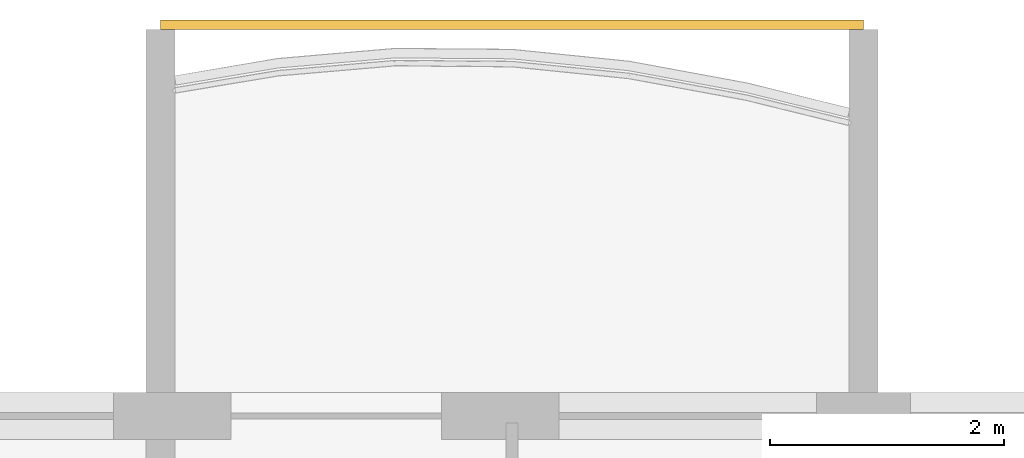
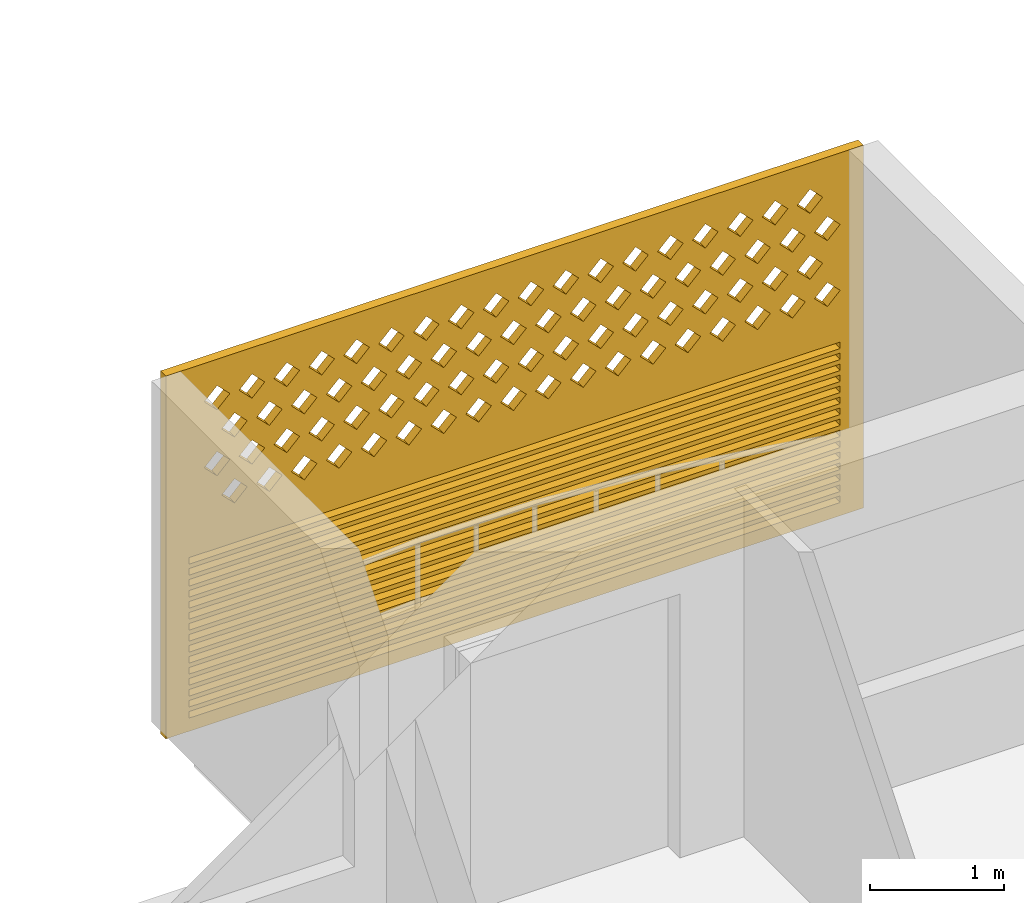
# One storey, part 21 of 27: 1 covering.
"""IFC4 building model written with IfcOpenShell, lengths in metres."""

from ifc_helpers import new_model, si_unit, direction, frame, origin, place, context, subcontext, project, spatial, polyline, outline, extrude, source, transform, mapped, material, material_profile, profile_set, type_object, element, save


model = new_model("IFC4")

# Units and contexts
model_context = context("Model", 3, precision=1e-05, world=origin(), true_north=direction((0.0, 1.0)))
body_context = subcontext(model_context, "Body", "Model", "MODEL_VIEW")
ifc_project = project(units=[si_unit("LENGTHUNIT", "METRE"), si_unit("AREAUNIT", "SQUARE_METRE"), si_unit("VOLUMEUNIT", "CUBIC_METRE"), si_unit("PLANEANGLEUNIT", "RADIAN"), si_unit("MASSUNIT", "GRAM", prefix="KILO")], contexts=[model_context])

# Site, building, storey
site_placement = place(None, origin())
site = spatial("IfcSite", under=ifc_project, at=site_placement, CompositionType="ELEMENT")
building_placement = place(site_placement, origin())
building = spatial("IfcBuilding", under=site, at=building_placement, Name="Poui Terraces", CompositionType="ELEMENT")
storey_placement = place(building_placement, frame((0.0, 0.0, 195.0)))
storey = spatial("IfcBuildingStorey", under=building, at=storey_placement, Name="L54", CompositionType="ELEMENT", Elevation=195.0)

# Covering
ifc_material = material(Name="Terracotta screen", Category="masonry")
ifc_material_profile = material_profile(ifc_material, outline(polyline([(-3.0, -1.64990234375), (3.0, -1.64990234375), (3.0, 1.64990234375), (-3.0, 1.64990234375), (-3.0, -1.64990234375)]), holes=[polyline([(-2.800048828125, 0.39990234375), (-2.68994140625, 0.2900390625), (-2.580078125, 0.39990234375), (-2.68994140625, 0.510009765625), (-2.800048828125, 0.39990234375)]), polyline([(-2.5, 0.39990234375), (-2.389892578125, 0.2900390625), (-2.280029296875, 0.39990234375), (-2.389892578125, 0.510009765625), (-2.5, 0.39990234375)]), polyline([(-2.199951171875, 0.39990234375), (-2.090087890625, 0.2900390625), (-1.97998046875, 0.39990234375), (-2.090087890625, 0.510009765625), (-2.199951171875, 0.39990234375)]), polyline([(-1.89990234375, 0.39990234375), (-1.7900390625, 0.2900390625), (-1.679931640625, 0.39990234375), (-1.7900390625, 0.510009765625), (-1.89990234375, 0.39990234375)]), polyline([(-1.60009765625, 0.39990234375), (-1.489990234375, 0.2900390625), (-1.3798828125, 0.39990234375), (-1.489990234375, 0.510009765625), (-1.60009765625, 0.39990234375)]), polyline([(-1.300048828125, 0.39990234375), (-1.18994140625, 0.2900390625), (-1.080078125, 0.39990234375), (-1.18994140625, 0.510009765625), (-1.300048828125, 0.39990234375)]), polyline([(-1.0, 0.39990234375), (-0.889892578125, 0.2900390625), (-0.780029296875, 0.39990234375), (-0.889892578125, 0.510009765625), (-1.0, 0.39990234375)]), polyline([(-0.699951171875, 0.39990234375), (-0.590087890625, 0.2900390625), (-0.47998046875, 0.39990234375), (-0.590087890625, 0.510009765625), (-0.699951171875, 0.39990234375)]), polyline([(-0.39990234375, 0.39990234375), (-0.2900390625, 0.2900390625), (-0.179931640625, 0.39990234375), (-0.2900390625, 0.510009765625), (-0.39990234375, 0.39990234375)]), polyline([(-0.10009765625, 0.39990234375), (0.010009765625, 0.2900390625), (0.1201171875, 0.39990234375), (0.010009765625, 0.510009765625), (-0.10009765625, 0.39990234375)]), polyline([(0.199951171875, 0.39990234375), (0.31005859375, 0.2900390625), (0.419921875, 0.39990234375), (0.31005859375, 0.510009765625), (0.199951171875, 0.39990234375)]), polyline([(0.5, 0.39990234375), (0.610107421875, 0.2900390625), (0.719970703125, 0.39990234375), (0.610107421875, 0.510009765625), (0.5, 0.39990234375)]), polyline([(0.800048828125, 0.39990234375), (0.909912109375, 0.2900390625), (1.02001953125, 0.39990234375), (0.909912109375, 0.510009765625), (0.800048828125, 0.39990234375)]), polyline([(1.10009765625, 0.39990234375), (1.2099609375, 0.2900390625), (1.320068359375, 0.39990234375), (1.2099609375, 0.510009765625), (1.10009765625, 0.39990234375)]), polyline([(1.39990234375, 0.39990234375), (1.510009765625, 0.2900390625), (1.6201171875, 0.39990234375), (1.510009765625, 0.510009765625), (1.39990234375, 0.39990234375)]), polyline([(1.699951171875, 0.39990234375), (1.81005859375, 0.2900390625), (1.919921875, 0.39990234375), (1.81005859375, 0.510009765625), (1.699951171875, 0.39990234375)]), polyline([(2.0, 0.39990234375), (2.110107421875, 0.2900390625), (2.219970703125, 0.39990234375), (2.110107421875, 0.510009765625), (2.0, 0.39990234375)]), polyline([(2.300048828125, 0.39990234375), (2.409912109375, 0.2900390625), (2.52001953125, 0.39990234375), (2.409912109375, 0.510009765625), (2.300048828125, 0.39990234375)]), polyline([(-2.64990234375, 0.699951171875), (-2.5400390625, 0.590087890625), (-2.429931640625, 0.699951171875), (-2.5400390625, 0.81005859375), (-2.64990234375, 0.699951171875)]), polyline([(-2.35009765625, 0.699951171875), (-2.239990234375, 0.590087890625), (-2.1298828125, 0.699951171875), (-2.239990234375, 0.81005859375), (-2.35009765625, 0.699951171875)]), polyline([(-2.050048828125, 0.699951171875), (-1.93994140625, 0.590087890625), (-1.830078125, 0.699951171875), (-1.93994140625, 0.81005859375), (-2.050048828125, 0.699951171875)]), polyline([(-1.75, 0.699951171875), (-1.639892578125, 0.590087890625), (-1.530029296875, 0.699951171875), (-1.639892578125, 0.81005859375), (-1.75, 0.699951171875)]), polyline([(-1.449951171875, 0.699951171875), (-1.340087890625, 0.590087890625), (-1.22998046875, 0.699951171875), (-1.340087890625, 0.81005859375), (-1.449951171875, 0.699951171875)]), polyline([(-1.14990234375, 0.699951171875), (-1.0400390625, 0.590087890625), (-0.929931640625, 0.699951171875), (-1.0400390625, 0.81005859375), (-1.14990234375, 0.699951171875)]), polyline([(-0.85009765625, 0.699951171875), (-0.739990234375, 0.590087890625), (-0.6298828125, 0.699951171875), (-0.739990234375, 0.81005859375), (-0.85009765625, 0.699951171875)]), polyline([(-0.550048828125, 0.699951171875), (-0.43994140625, 0.590087890625), (-0.330078125, 0.699951171875), (-0.43994140625, 0.81005859375), (-0.550048828125, 0.699951171875)]), polyline([(-0.25, 0.699951171875), (-0.139892578125, 0.590087890625), (-0.030029296875, 0.699951171875), (-0.139892578125, 0.81005859375), (-0.25, 0.699951171875)]), polyline([(0.050048828125, 0.699951171875), (0.159912109375, 0.590087890625), (0.27001953125, 0.699951171875), (0.159912109375, 0.81005859375), (0.050048828125, 0.699951171875)]), polyline([(0.35009765625, 0.699951171875), (0.4599609375, 0.590087890625), (0.570068359375, 0.699951171875), (0.4599609375, 0.81005859375), (0.35009765625, 0.699951171875)]), polyline([(0.64990234375, 0.699951171875), (0.760009765625, 0.590087890625), (0.8701171875, 0.699951171875), (0.760009765625, 0.81005859375), (0.64990234375, 0.699951171875)]), polyline([(0.949951171875, 0.699951171875), (1.06005859375, 0.590087890625), (1.169921875, 0.699951171875), (1.06005859375, 0.81005859375), (0.949951171875, 0.699951171875)]), polyline([(1.25, 0.699951171875), (1.360107421875, 0.590087890625), (1.469970703125, 0.699951171875), (1.360107421875, 0.81005859375), (1.25, 0.699951171875)]), polyline([(1.550048828125, 0.699951171875), (1.659912109375, 0.590087890625), (1.77001953125, 0.699951171875), (1.659912109375, 0.81005859375), (1.550048828125, 0.699951171875)]), polyline([(1.85009765625, 0.699951171875), (1.9599609375, 0.590087890625), (2.070068359375, 0.699951171875), (1.9599609375, 0.81005859375), (1.85009765625, 0.699951171875)]), polyline([(2.14990234375, 0.699951171875), (2.260009765625, 0.590087890625), (2.3701171875, 0.699951171875), (2.260009765625, 0.81005859375), (2.14990234375, 0.699951171875)]), polyline([(2.449951171875, 0.699951171875), (2.56005859375, 0.590087890625), (2.669921875, 0.699951171875), (2.56005859375, 0.81005859375), (2.449951171875, 0.699951171875)]), polyline([(-2.800048828125, 1.0), (-2.68994140625, 0.889892578125), (-2.580078125, 1.0), (-2.68994140625, 1.110107421875), (-2.800048828125, 1.0)]), polyline([(-2.5, 1.0), (-2.389892578125, 0.889892578125), (-2.280029296875, 1.0), (-2.389892578125, 1.110107421875), (-2.5, 1.0)]), polyline([(-2.199951171875, 1.0), (-2.090087890625, 0.889892578125), (-1.97998046875, 1.0), (-2.090087890625, 1.110107421875), (-2.199951171875, 1.0)]), polyline([(-1.89990234375, 1.0), (-1.7900390625, 0.889892578125), (-1.679931640625, 1.0), (-1.7900390625, 1.110107421875), (-1.89990234375, 1.0)]), polyline([(-1.60009765625, 1.0), (-1.489990234375, 0.889892578125), (-1.3798828125, 1.0), (-1.489990234375, 1.110107421875), (-1.60009765625, 1.0)]), polyline([(-1.300048828125, 1.0), (-1.18994140625, 0.889892578125), (-1.080078125, 1.0), (-1.18994140625, 1.110107421875), (-1.300048828125, 1.0)]), polyline([(-1.0, 1.0), (-0.889892578125, 0.889892578125), (-0.780029296875, 1.0), (-0.889892578125, 1.110107421875), (-1.0, 1.0)]), polyline([(-0.699951171875, 1.0), (-0.590087890625, 0.889892578125), (-0.47998046875, 1.0), (-0.590087890625, 1.110107421875), (-0.699951171875, 1.0)]), polyline([(-0.39990234375, 1.0), (-0.2900390625, 0.889892578125), (-0.179931640625, 1.0), (-0.2900390625, 1.110107421875), (-0.39990234375, 1.0)]), polyline([(-0.10009765625, 1.0), (0.010009765625, 0.889892578125), (0.1201171875, 1.0), (0.010009765625, 1.110107421875), (-0.10009765625, 1.0)]), polyline([(0.199951171875, 1.0), (0.31005859375, 0.889892578125), (0.419921875, 1.0), (0.31005859375, 1.110107421875), (0.199951171875, 1.0)]), polyline([(0.5, 1.0), (0.610107421875, 0.889892578125), (0.719970703125, 1.0), (0.610107421875, 1.110107421875), (0.5, 1.0)]), polyline([(0.800048828125, 1.0), (0.909912109375, 0.889892578125), (1.02001953125, 1.0), (0.909912109375, 1.110107421875), (0.800048828125, 1.0)]), polyline([(1.10009765625, 1.0), (1.2099609375, 0.889892578125), (1.320068359375, 1.0), (1.2099609375, 1.110107421875), (1.10009765625, 1.0)]), polyline([(1.39990234375, 1.0), (1.510009765625, 0.889892578125), (1.6201171875, 1.0), (1.510009765625, 1.110107421875), (1.39990234375, 1.0)]), polyline([(1.699951171875, 1.0), (1.81005859375, 0.889892578125), (1.919921875, 1.0), (1.81005859375, 1.110107421875), (1.699951171875, 1.0)]), polyline([(2.0, 1.0), (2.110107421875, 0.889892578125), (2.219970703125, 1.0), (2.110107421875, 1.110107421875), (2.0, 1.0)]), polyline([(2.300048828125, 1.0), (2.409912109375, 0.889892578125), (2.52001953125, 1.0), (2.409912109375, 1.110107421875), (2.300048828125, 1.0)]), polyline([(-2.64990234375, 1.300048828125), (-2.5400390625, 1.18994140625), (-2.429931640625, 1.300048828125), (-2.5400390625, 1.409912109375), (-2.64990234375, 1.300048828125)]), polyline([(-2.35009765625, 1.300048828125), (-2.239990234375, 1.18994140625), (-2.1298828125, 1.300048828125), (-2.239990234375, 1.409912109375), (-2.35009765625, 1.300048828125)]), polyline([(-2.050048828125, 1.300048828125), (-1.93994140625, 1.18994140625), (-1.830078125, 1.300048828125), (-1.93994140625, 1.409912109375), (-2.050048828125, 1.300048828125)]), polyline([(-1.75, 1.300048828125), (-1.639892578125, 1.18994140625), (-1.530029296875, 1.300048828125), (-1.639892578125, 1.409912109375), (-1.75, 1.300048828125)]), polyline([(-1.449951171875, 1.300048828125), (-1.340087890625, 1.18994140625), (-1.22998046875, 1.300048828125), (-1.340087890625, 1.409912109375), (-1.449951171875, 1.300048828125)]), polyline([(-1.14990234375, 1.300048828125), (-1.0400390625, 1.18994140625), (-0.929931640625, 1.300048828125), (-1.0400390625, 1.409912109375), (-1.14990234375, 1.300048828125)]), polyline([(-0.85009765625, 1.300048828125), (-0.739990234375, 1.18994140625), (-0.6298828125, 1.300048828125), (-0.739990234375, 1.409912109375), (-0.85009765625, 1.300048828125)]), polyline([(-0.550048828125, 1.300048828125), (-0.43994140625, 1.18994140625), (-0.330078125, 1.300048828125), (-0.43994140625, 1.409912109375), (-0.550048828125, 1.300048828125)]), polyline([(-0.25, 1.300048828125), (-0.139892578125, 1.18994140625), (-0.030029296875, 1.300048828125), (-0.139892578125, 1.409912109375), (-0.25, 1.300048828125)]), polyline([(0.050048828125, 1.300048828125), (0.159912109375, 1.18994140625), (0.27001953125, 1.300048828125), (0.159912109375, 1.409912109375), (0.050048828125, 1.300048828125)]), polyline([(0.35009765625, 1.300048828125), (0.4599609375, 1.18994140625), (0.570068359375, 1.300048828125), (0.4599609375, 1.409912109375), (0.35009765625, 1.300048828125)]), polyline([(0.64990234375, 1.300048828125), (0.760009765625, 1.18994140625), (0.8701171875, 1.300048828125), (0.760009765625, 1.409912109375), (0.64990234375, 1.300048828125)]), polyline([(0.949951171875, 1.300048828125), (1.06005859375, 1.18994140625), (1.169921875, 1.300048828125), (1.06005859375, 1.409912109375), (0.949951171875, 1.300048828125)]), polyline([(1.25, 1.300048828125), (1.360107421875, 1.18994140625), (1.469970703125, 1.300048828125), (1.360107421875, 1.409912109375), (1.25, 1.300048828125)]), polyline([(1.550048828125, 1.300048828125), (1.659912109375, 1.18994140625), (1.77001953125, 1.300048828125), (1.659912109375, 1.409912109375), (1.550048828125, 1.300048828125)]), polyline([(1.85009765625, 1.300048828125), (1.9599609375, 1.18994140625), (2.070068359375, 1.300048828125), (1.9599609375, 1.409912109375), (1.85009765625, 1.300048828125)]), polyline([(2.14990234375, 1.300048828125), (2.260009765625, 1.18994140625), (2.3701171875, 1.300048828125), (2.260009765625, 1.409912109375), (2.14990234375, 1.300048828125)]), polyline([(2.449951171875, 1.300048828125), (2.56005859375, 1.18994140625), (2.669921875, 1.300048828125), (2.56005859375, 1.409912109375), (2.449951171875, 1.300048828125)]), polyline([(-2.800048828125, -1.530029296875), (2.800048828125, -1.530029296875), (2.800048828125, -1.469970703125), (-2.800048828125, -1.469970703125), (-2.800048828125, -1.530029296875)]), polyline([(-2.800048828125, -1.429931640625), (2.800048828125, -1.429931640625), (2.800048828125, -1.3701171875), (-2.800048828125, -1.3701171875), (-2.800048828125, -1.429931640625)]), polyline([(-2.800048828125, -1.330078125), (2.800048828125, -1.330078125), (2.800048828125, -1.27001953125), (-2.800048828125, -1.27001953125), (-2.800048828125, -1.330078125)]), polyline([(-2.800048828125, -1.22998046875), (2.800048828125, -1.22998046875), (2.800048828125, -1.169921875), (-2.800048828125, -1.169921875), (-2.800048828125, -1.22998046875)]), polyline([(-2.800048828125, -1.1298828125), (2.800048828125, -1.1298828125), (2.800048828125, -1.070068359375), (-2.800048828125, -1.070068359375), (-2.800048828125, -1.1298828125)]), polyline([(-2.800048828125, -1.030029296875), (2.800048828125, -1.030029296875), (2.800048828125, -0.969970703125), (-2.800048828125, -0.969970703125), (-2.800048828125, -1.030029296875)]), polyline([(-2.800048828125, -0.929931640625), (2.800048828125, -0.929931640625), (2.800048828125, -0.8701171875), (-2.800048828125, -0.8701171875), (-2.800048828125, -0.929931640625)]), polyline([(-2.800048828125, -0.830078125), (2.800048828125, -0.830078125), (2.800048828125, -0.77001953125), (-2.800048828125, -0.77001953125), (-2.800048828125, -0.830078125)]), polyline([(-2.800048828125, -0.72998046875), (2.800048828125, -0.72998046875), (2.800048828125, -0.669921875), (-2.800048828125, -0.669921875), (-2.800048828125, -0.72998046875)]), polyline([(-2.800048828125, -0.6298828125), (2.800048828125, -0.6298828125), (2.800048828125, -0.570068359375), (-2.800048828125, -0.570068359375), (-2.800048828125, -0.6298828125)]), polyline([(-2.800048828125, -0.530029296875), (2.800048828125, -0.530029296875), (2.800048828125, -0.469970703125), (-2.800048828125, -0.469970703125), (-2.800048828125, -0.530029296875)]), polyline([(-2.800048828125, -0.429931640625), (2.800048828125, -0.429931640625), (2.800048828125, -0.3701171875), (-2.800048828125, -0.3701171875), (-2.800048828125, -0.429931640625)]), polyline([(-2.800048828125, -0.330078125), (2.800048828125, -0.330078125), (2.800048828125, -0.27001953125), (-2.800048828125, -0.27001953125), (-2.800048828125, -0.330078125)]), polyline([(-2.800048828125, -0.22998046875), (2.800048828125, -0.22998046875), (2.800048828125, -0.169921875), (-2.800048828125, -0.169921875), (-2.800048828125, -0.22998046875)]), polyline([(-2.800048828125, -0.1298828125), (2.800048828125, -0.1298828125), (2.800048828125, -0.070068359375), (-2.800048828125, -0.070068359375), (-2.800048828125, -0.1298828125)])]), Name="TERRACOTTA SCREEN AND JALOUSIE LOUVRE 6000X3300")
ifc_profile_set = profile_set([ifc_material_profile], Name="Terracotta screen")
covering_type = type_object("IfcCoveringType", Name="TERRACOTTA SCREEN AND JALOUSIE LOUVRE 6000X3300", PredefinedType="CLADDING", material=ifc_profile_set)
shared_shape = source(origin(), body_context, "Body", "SweptSolid", [
    extrude(outline(polyline([(-3.0, -1.64990234375), (3.0, -1.64990234375), (3.0, 1.64990234375), (-3.0, 1.64990234375), (-3.0, -1.64990234375)]), holes=[polyline([(-2.800048828125, 0.39990234375), (-2.68994140625, 0.2900390625), (-2.580078125, 0.39990234375), (-2.68994140625, 0.510009765625), (-2.800048828125, 0.39990234375)]), polyline([(-2.5, 0.39990234375), (-2.389892578125, 0.2900390625), (-2.280029296875, 0.39990234375), (-2.389892578125, 0.510009765625), (-2.5, 0.39990234375)]), polyline([(-2.199951171875, 0.39990234375), (-2.090087890625, 0.2900390625), (-1.97998046875, 0.39990234375), (-2.090087890625, 0.510009765625), (-2.199951171875, 0.39990234375)]), polyline([(-1.89990234375, 0.39990234375), (-1.7900390625, 0.2900390625), (-1.679931640625, 0.39990234375), (-1.7900390625, 0.510009765625), (-1.89990234375, 0.39990234375)]), polyline([(-1.60009765625, 0.39990234375), (-1.489990234375, 0.2900390625), (-1.3798828125, 0.39990234375), (-1.489990234375, 0.510009765625), (-1.60009765625, 0.39990234375)]), polyline([(-1.300048828125, 0.39990234375), (-1.18994140625, 0.2900390625), (-1.080078125, 0.39990234375), (-1.18994140625, 0.510009765625), (-1.300048828125, 0.39990234375)]), polyline([(-1.0, 0.39990234375), (-0.889892578125, 0.2900390625), (-0.780029296875, 0.39990234375), (-0.889892578125, 0.510009765625), (-1.0, 0.39990234375)]), polyline([(-0.699951171875, 0.39990234375), (-0.590087890625, 0.2900390625), (-0.47998046875, 0.39990234375), (-0.590087890625, 0.510009765625), (-0.699951171875, 0.39990234375)]), polyline([(-0.39990234375, 0.39990234375), (-0.2900390625, 0.2900390625), (-0.179931640625, 0.39990234375), (-0.2900390625, 0.510009765625), (-0.39990234375, 0.39990234375)]), polyline([(-0.10009765625, 0.39990234375), (0.010009765625, 0.2900390625), (0.1201171875, 0.39990234375), (0.010009765625, 0.510009765625), (-0.10009765625, 0.39990234375)]), polyline([(0.199951171875, 0.39990234375), (0.31005859375, 0.2900390625), (0.419921875, 0.39990234375), (0.31005859375, 0.510009765625), (0.199951171875, 0.39990234375)]), polyline([(0.5, 0.39990234375), (0.610107421875, 0.2900390625), (0.719970703125, 0.39990234375), (0.610107421875, 0.510009765625), (0.5, 0.39990234375)]), polyline([(0.800048828125, 0.39990234375), (0.909912109375, 0.2900390625), (1.02001953125, 0.39990234375), (0.909912109375, 0.510009765625), (0.800048828125, 0.39990234375)]), polyline([(1.10009765625, 0.39990234375), (1.2099609375, 0.2900390625), (1.320068359375, 0.39990234375), (1.2099609375, 0.510009765625), (1.10009765625, 0.39990234375)]), polyline([(1.39990234375, 0.39990234375), (1.510009765625, 0.2900390625), (1.6201171875, 0.39990234375), (1.510009765625, 0.510009765625), (1.39990234375, 0.39990234375)]), polyline([(1.699951171875, 0.39990234375), (1.81005859375, 0.2900390625), (1.919921875, 0.39990234375), (1.81005859375, 0.510009765625), (1.699951171875, 0.39990234375)]), polyline([(2.0, 0.39990234375), (2.110107421875, 0.2900390625), (2.219970703125, 0.39990234375), (2.110107421875, 0.510009765625), (2.0, 0.39990234375)]), polyline([(2.300048828125, 0.39990234375), (2.409912109375, 0.2900390625), (2.52001953125, 0.39990234375), (2.409912109375, 0.510009765625), (2.300048828125, 0.39990234375)]), polyline([(-2.64990234375, 0.699951171875), (-2.5400390625, 0.590087890625), (-2.429931640625, 0.699951171875), (-2.5400390625, 0.81005859375), (-2.64990234375, 0.699951171875)]), polyline([(-2.35009765625, 0.699951171875), (-2.239990234375, 0.590087890625), (-2.1298828125, 0.699951171875), (-2.239990234375, 0.81005859375), (-2.35009765625, 0.699951171875)]), polyline([(-2.050048828125, 0.699951171875), (-1.93994140625, 0.590087890625), (-1.830078125, 0.699951171875), (-1.93994140625, 0.81005859375), (-2.050048828125, 0.699951171875)]), polyline([(-1.75, 0.699951171875), (-1.639892578125, 0.590087890625), (-1.530029296875, 0.699951171875), (-1.639892578125, 0.81005859375), (-1.75, 0.699951171875)]), polyline([(-1.449951171875, 0.699951171875), (-1.340087890625, 0.590087890625), (-1.22998046875, 0.699951171875), (-1.340087890625, 0.81005859375), (-1.449951171875, 0.699951171875)]), polyline([(-1.14990234375, 0.699951171875), (-1.0400390625, 0.590087890625), (-0.929931640625, 0.699951171875), (-1.0400390625, 0.81005859375), (-1.14990234375, 0.699951171875)]), polyline([(-0.85009765625, 0.699951171875), (-0.739990234375, 0.590087890625), (-0.6298828125, 0.699951171875), (-0.739990234375, 0.81005859375), (-0.85009765625, 0.699951171875)]), polyline([(-0.550048828125, 0.699951171875), (-0.43994140625, 0.590087890625), (-0.330078125, 0.699951171875), (-0.43994140625, 0.81005859375), (-0.550048828125, 0.699951171875)]), polyline([(-0.25, 0.699951171875), (-0.139892578125, 0.590087890625), (-0.030029296875, 0.699951171875), (-0.139892578125, 0.81005859375), (-0.25, 0.699951171875)]), polyline([(0.050048828125, 0.699951171875), (0.159912109375, 0.590087890625), (0.27001953125, 0.699951171875), (0.159912109375, 0.81005859375), (0.050048828125, 0.699951171875)]), polyline([(0.35009765625, 0.699951171875), (0.4599609375, 0.590087890625), (0.570068359375, 0.699951171875), (0.4599609375, 0.81005859375), (0.35009765625, 0.699951171875)]), polyline([(0.64990234375, 0.699951171875), (0.760009765625, 0.590087890625), (0.8701171875, 0.699951171875), (0.760009765625, 0.81005859375), (0.64990234375, 0.699951171875)]), polyline([(0.949951171875, 0.699951171875), (1.06005859375, 0.590087890625), (1.169921875, 0.699951171875), (1.06005859375, 0.81005859375), (0.949951171875, 0.699951171875)]), polyline([(1.25, 0.699951171875), (1.360107421875, 0.590087890625), (1.469970703125, 0.699951171875), (1.360107421875, 0.81005859375), (1.25, 0.699951171875)]), polyline([(1.550048828125, 0.699951171875), (1.659912109375, 0.590087890625), (1.77001953125, 0.699951171875), (1.659912109375, 0.81005859375), (1.550048828125, 0.699951171875)]), polyline([(1.85009765625, 0.699951171875), (1.9599609375, 0.590087890625), (2.070068359375, 0.699951171875), (1.9599609375, 0.81005859375), (1.85009765625, 0.699951171875)]), polyline([(2.14990234375, 0.699951171875), (2.260009765625, 0.590087890625), (2.3701171875, 0.699951171875), (2.260009765625, 0.81005859375), (2.14990234375, 0.699951171875)]), polyline([(2.449951171875, 0.699951171875), (2.56005859375, 0.590087890625), (2.669921875, 0.699951171875), (2.56005859375, 0.81005859375), (2.449951171875, 0.699951171875)]), polyline([(-2.800048828125, 1.0), (-2.68994140625, 0.889892578125), (-2.580078125, 1.0), (-2.68994140625, 1.110107421875), (-2.800048828125, 1.0)]), polyline([(-2.5, 1.0), (-2.389892578125, 0.889892578125), (-2.280029296875, 1.0), (-2.389892578125, 1.110107421875), (-2.5, 1.0)]), polyline([(-2.199951171875, 1.0), (-2.090087890625, 0.889892578125), (-1.97998046875, 1.0), (-2.090087890625, 1.110107421875), (-2.199951171875, 1.0)]), polyline([(-1.89990234375, 1.0), (-1.7900390625, 0.889892578125), (-1.679931640625, 1.0), (-1.7900390625, 1.110107421875), (-1.89990234375, 1.0)]), polyline([(-1.60009765625, 1.0), (-1.489990234375, 0.889892578125), (-1.3798828125, 1.0), (-1.489990234375, 1.110107421875), (-1.60009765625, 1.0)]), polyline([(-1.300048828125, 1.0), (-1.18994140625, 0.889892578125), (-1.080078125, 1.0), (-1.18994140625, 1.110107421875), (-1.300048828125, 1.0)]), polyline([(-1.0, 1.0), (-0.889892578125, 0.889892578125), (-0.780029296875, 1.0), (-0.889892578125, 1.110107421875), (-1.0, 1.0)]), polyline([(-0.699951171875, 1.0), (-0.590087890625, 0.889892578125), (-0.47998046875, 1.0), (-0.590087890625, 1.110107421875), (-0.699951171875, 1.0)]), polyline([(-0.39990234375, 1.0), (-0.2900390625, 0.889892578125), (-0.179931640625, 1.0), (-0.2900390625, 1.110107421875), (-0.39990234375, 1.0)]), polyline([(-0.10009765625, 1.0), (0.010009765625, 0.889892578125), (0.1201171875, 1.0), (0.010009765625, 1.110107421875), (-0.10009765625, 1.0)]), polyline([(0.199951171875, 1.0), (0.31005859375, 0.889892578125), (0.419921875, 1.0), (0.31005859375, 1.110107421875), (0.199951171875, 1.0)]), polyline([(0.5, 1.0), (0.610107421875, 0.889892578125), (0.719970703125, 1.0), (0.610107421875, 1.110107421875), (0.5, 1.0)]), polyline([(0.800048828125, 1.0), (0.909912109375, 0.889892578125), (1.02001953125, 1.0), (0.909912109375, 1.110107421875), (0.800048828125, 1.0)]), polyline([(1.10009765625, 1.0), (1.2099609375, 0.889892578125), (1.320068359375, 1.0), (1.2099609375, 1.110107421875), (1.10009765625, 1.0)]), polyline([(1.39990234375, 1.0), (1.510009765625, 0.889892578125), (1.6201171875, 1.0), (1.510009765625, 1.110107421875), (1.39990234375, 1.0)]), polyline([(1.699951171875, 1.0), (1.81005859375, 0.889892578125), (1.919921875, 1.0), (1.81005859375, 1.110107421875), (1.699951171875, 1.0)]), polyline([(2.0, 1.0), (2.110107421875, 0.889892578125), (2.219970703125, 1.0), (2.110107421875, 1.110107421875), (2.0, 1.0)]), polyline([(2.300048828125, 1.0), (2.409912109375, 0.889892578125), (2.52001953125, 1.0), (2.409912109375, 1.110107421875), (2.300048828125, 1.0)]), polyline([(-2.64990234375, 1.300048828125), (-2.5400390625, 1.18994140625), (-2.429931640625, 1.300048828125), (-2.5400390625, 1.409912109375), (-2.64990234375, 1.300048828125)]), polyline([(-2.35009765625, 1.300048828125), (-2.239990234375, 1.18994140625), (-2.1298828125, 1.300048828125), (-2.239990234375, 1.409912109375), (-2.35009765625, 1.300048828125)]), polyline([(-2.050048828125, 1.300048828125), (-1.93994140625, 1.18994140625), (-1.830078125, 1.300048828125), (-1.93994140625, 1.409912109375), (-2.050048828125, 1.300048828125)]), polyline([(-1.75, 1.300048828125), (-1.639892578125, 1.18994140625), (-1.530029296875, 1.300048828125), (-1.639892578125, 1.409912109375), (-1.75, 1.300048828125)]), polyline([(-1.449951171875, 1.300048828125), (-1.340087890625, 1.18994140625), (-1.22998046875, 1.300048828125), (-1.340087890625, 1.409912109375), (-1.449951171875, 1.300048828125)]), polyline([(-1.14990234375, 1.300048828125), (-1.0400390625, 1.18994140625), (-0.929931640625, 1.300048828125), (-1.0400390625, 1.409912109375), (-1.14990234375, 1.300048828125)]), polyline([(-0.85009765625, 1.300048828125), (-0.739990234375, 1.18994140625), (-0.6298828125, 1.300048828125), (-0.739990234375, 1.409912109375), (-0.85009765625, 1.300048828125)]), polyline([(-0.550048828125, 1.300048828125), (-0.43994140625, 1.18994140625), (-0.330078125, 1.300048828125), (-0.43994140625, 1.409912109375), (-0.550048828125, 1.300048828125)]), polyline([(-0.25, 1.300048828125), (-0.139892578125, 1.18994140625), (-0.030029296875, 1.300048828125), (-0.139892578125, 1.409912109375), (-0.25, 1.300048828125)]), polyline([(0.050048828125, 1.300048828125), (0.159912109375, 1.18994140625), (0.27001953125, 1.300048828125), (0.159912109375, 1.409912109375), (0.050048828125, 1.300048828125)]), polyline([(0.35009765625, 1.300048828125), (0.4599609375, 1.18994140625), (0.570068359375, 1.300048828125), (0.4599609375, 1.409912109375), (0.35009765625, 1.300048828125)]), polyline([(0.64990234375, 1.300048828125), (0.760009765625, 1.18994140625), (0.8701171875, 1.300048828125), (0.760009765625, 1.409912109375), (0.64990234375, 1.300048828125)]), polyline([(0.949951171875, 1.300048828125), (1.06005859375, 1.18994140625), (1.169921875, 1.300048828125), (1.06005859375, 1.409912109375), (0.949951171875, 1.300048828125)]), polyline([(1.25, 1.300048828125), (1.360107421875, 1.18994140625), (1.469970703125, 1.300048828125), (1.360107421875, 1.409912109375), (1.25, 1.300048828125)]), polyline([(1.550048828125, 1.300048828125), (1.659912109375, 1.18994140625), (1.77001953125, 1.300048828125), (1.659912109375, 1.409912109375), (1.550048828125, 1.300048828125)]), polyline([(1.85009765625, 1.300048828125), (1.9599609375, 1.18994140625), (2.070068359375, 1.300048828125), (1.9599609375, 1.409912109375), (1.85009765625, 1.300048828125)]), polyline([(2.14990234375, 1.300048828125), (2.260009765625, 1.18994140625), (2.3701171875, 1.300048828125), (2.260009765625, 1.409912109375), (2.14990234375, 1.300048828125)]), polyline([(2.449951171875, 1.300048828125), (2.56005859375, 1.18994140625), (2.669921875, 1.300048828125), (2.56005859375, 1.409912109375), (2.449951171875, 1.300048828125)]), polyline([(-2.800048828125, -1.530029296875), (2.800048828125, -1.530029296875), (2.800048828125, -1.469970703125), (-2.800048828125, -1.469970703125), (-2.800048828125, -1.530029296875)]), polyline([(-2.800048828125, -1.429931640625), (2.800048828125, -1.429931640625), (2.800048828125, -1.3701171875), (-2.800048828125, -1.3701171875), (-2.800048828125, -1.429931640625)]), polyline([(-2.800048828125, -1.330078125), (2.800048828125, -1.330078125), (2.800048828125, -1.27001953125), (-2.800048828125, -1.27001953125), (-2.800048828125, -1.330078125)]), polyline([(-2.800048828125, -1.22998046875), (2.800048828125, -1.22998046875), (2.800048828125, -1.169921875), (-2.800048828125, -1.169921875), (-2.800048828125, -1.22998046875)]), polyline([(-2.800048828125, -1.1298828125), (2.800048828125, -1.1298828125), (2.800048828125, -1.070068359375), (-2.800048828125, -1.070068359375), (-2.800048828125, -1.1298828125)]), polyline([(-2.800048828125, -1.030029296875), (2.800048828125, -1.030029296875), (2.800048828125, -0.969970703125), (-2.800048828125, -0.969970703125), (-2.800048828125, -1.030029296875)]), polyline([(-2.800048828125, -0.929931640625), (2.800048828125, -0.929931640625), (2.800048828125, -0.8701171875), (-2.800048828125, -0.8701171875), (-2.800048828125, -0.929931640625)]), polyline([(-2.800048828125, -0.830078125), (2.800048828125, -0.830078125), (2.800048828125, -0.77001953125), (-2.800048828125, -0.77001953125), (-2.800048828125, -0.830078125)]), polyline([(-2.800048828125, -0.72998046875), (2.800048828125, -0.72998046875), (2.800048828125, -0.669921875), (-2.800048828125, -0.669921875), (-2.800048828125, -0.72998046875)]), polyline([(-2.800048828125, -0.6298828125), (2.800048828125, -0.6298828125), (2.800048828125, -0.570068359375), (-2.800048828125, -0.570068359375), (-2.800048828125, -0.6298828125)]), polyline([(-2.800048828125, -0.530029296875), (2.800048828125, -0.530029296875), (2.800048828125, -0.469970703125), (-2.800048828125, -0.469970703125), (-2.800048828125, -0.530029296875)]), polyline([(-2.800048828125, -0.429931640625), (2.800048828125, -0.429931640625), (2.800048828125, -0.3701171875), (-2.800048828125, -0.3701171875), (-2.800048828125, -0.429931640625)]), polyline([(-2.800048828125, -0.330078125), (2.800048828125, -0.330078125), (2.800048828125, -0.27001953125), (-2.800048828125, -0.27001953125), (-2.800048828125, -0.330078125)]), polyline([(-2.800048828125, -0.22998046875), (2.800048828125, -0.22998046875), (2.800048828125, -0.169921875), (-2.800048828125, -0.169921875), (-2.800048828125, -0.22998046875)]), polyline([(-2.800048828125, -0.1298828125), (2.800048828125, -0.1298828125), (2.800048828125, -0.070068359375), (-2.800048828125, -0.070068359375), (-2.800048828125, -0.1298828125)])]), origin(), (0.0, 0.0, 1.0), 0.080078125),
])
covering_placement = place(storey_placement, frame((45.0, 44.5, 1.449951171875), z_axis=(0.0, 1.0, 0.0), x_axis=(-1.0, 0.0, 0.0)))
element("IfcCovering", 1, at=covering_placement, inside=storey, type_object=covering_type, Name="SOLAR SCREEN AND JALOUSIE LOUVRE", PredefinedType="CLADDING", context=body_context, shape_type="MappedRepresentation", body=[
    mapped(shared_shape, transform((0.0, 0.0, 0.0))),
])

save(model, "model.ifc")
